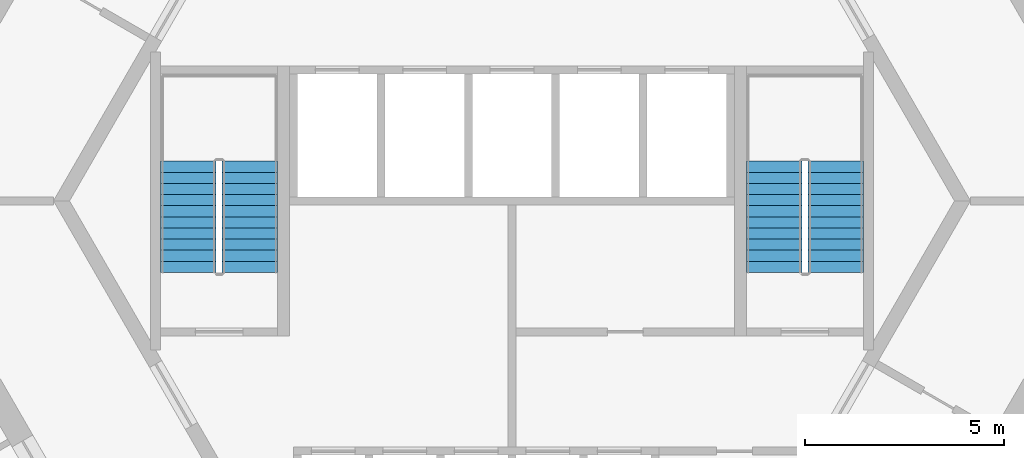
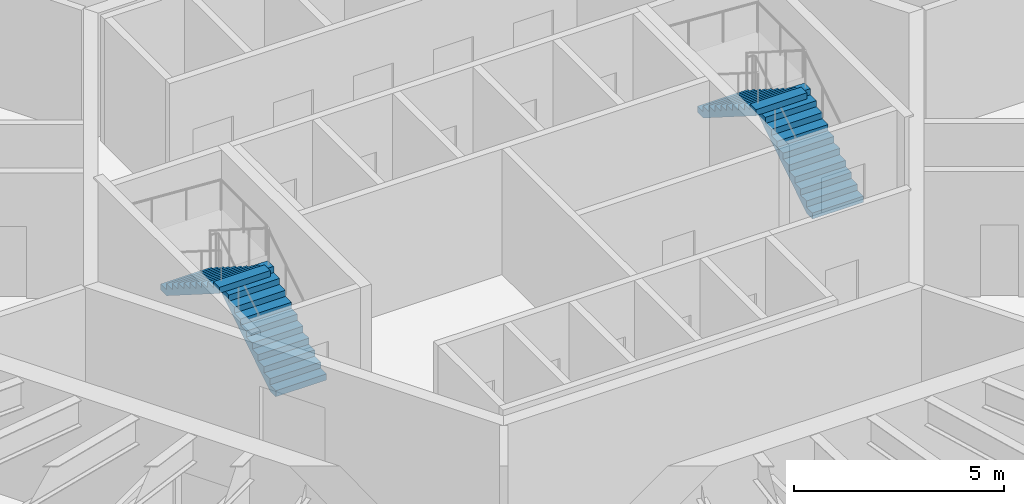
# One storey, part 11 of 12: 4 stair flights, 2 elements without a shape of their own.
"""IFC4 building model written with IfcOpenShell, lengths in metres."""

from ifc_helpers import new_model, si_unit, direction, frame, origin, place, context, subcontext, project, spatial, polyline, outline, extrude, material, type_object, element, aggregate, save


model = new_model("IFC4")

# Units and contexts
model_context = context("Model", 3, precision=1e-05, world=origin(), true_north=direction((0.0, 1.0)))
body_context = subcontext(model_context, "Body", "Model", "MODEL_VIEW")
ifc_project = project(units=[si_unit("LENGTHUNIT", "METRE"), si_unit("AREAUNIT", "SQUARE_METRE"), si_unit("VOLUMEUNIT", "CUBIC_METRE"), si_unit("PLANEANGLEUNIT", "RADIAN"), si_unit("MASSUNIT", "GRAM", prefix="KILO")], contexts=[model_context])

# Site, building, storey
site_placement = place(None, origin())
site = spatial("IfcSite", under=ifc_project, at=site_placement, CompositionType="ELEMENT")
building_placement = place(site_placement, origin())
building = spatial("IfcBuilding", under=site, at=building_placement, Name="Tarnside Tower", CompositionType="ELEMENT")
storey_placement = place(building_placement, frame((0.0, 0.0, 142.800048828125)))
storey = spatial("IfcBuildingStorey", under=building, at=storey_placement, Name="L33", CompositionType="ELEMENT", Elevation=142.800048828125)

# Stair, stair flights
ifc_material = material(Name="Concrete C40/50", Category="concrete")
stair_type = type_object("IfcStairType", Name="Exit stair 1400 clear", PredefinedType="HALF_TURN_STAIR", material=ifc_material)
stair_1_placement = place(storey_placement, origin())
stair_1 = element("IfcStair", 1, at=stair_1_placement, inside=storey, type_object=stair_type, Name="L33 Exit stair 1", PredefinedType="HALF_TURN_STAIR")
stair_flight_type = type_object("IfcStairFlightType", Name="Exit stair flight 1400", PredefinedType="STRAIGHT", material=ifc_material)
stair_flight_1_placement = place(storey_placement, frame((8.14990234375, -1.800048828125, 0.0), z_axis=(0.0, 0.0, 1.0), x_axis=(0.0, 1.0, 0.0)))
stair_flight_1 = element("IfcStairFlight", 2, at=stair_flight_1_placement, type_object=stair_flight_type, Name="ST1 flight 1", NumberOfRisers=11, NumberOfTreads=10, PredefinedType="STRAIGHT", RiserHeight=0.177272727, TreadLength=0.28, context=body_context, shape_type="SweptSolid", body=[
    extrude(outline(polyline([(0.0, 0.0), (0.0, 0.17724609375), (0.280029296875, 0.17724609375), (0.280029296875, 0.3544921875), (0.56005859375, 0.3544921875), (0.56005859375, 0.53173828125), (0.840087890625, 0.53173828125), (0.840087890625, 0.708984375), (1.1201171875, 0.708984375), (1.1201171875, 0.886474609375), (1.39990234375, 0.886474609375), (1.39990234375, 1.063720703125), (1.679931640625, 1.063720703125), (1.679931640625, 1.240966796875), (1.9599609375, 1.240966796875), (1.9599609375, 1.418212890625), (2.239990234375, 1.418212890625), (2.239990234375, 1.595458984375), (2.52001953125, 1.595458984375), (2.52001953125, 1.772705078125), (2.800048828125, 1.772705078125), (2.800048828125, 1.949951171875), (2.800048828125, 1.59521484375), (0.2802734375, 0.0), (0.0, 0.0)])), frame((0.0, 0.699951171875, 0.0), z_axis=(0.0, -1.0, 0.0), x_axis=(1.0, 0.0, 0.0)), (0.0, 0.0, 1.0), 1.39990234375),
])
stair_flight_2_placement = place(storey_placement, frame((6.60009765625, 1.0, 1.949951171875), z_axis=(0.0, 0.0, 1.0), x_axis=(0.0, -1.0, 0.0)))
stair_flight_2 = element("IfcStairFlight", 3, at=stair_flight_2_placement, type_object=stair_flight_type, Name="ST1 flight 2", NumberOfRisers=11, NumberOfTreads=10, PredefinedType="STRAIGHT", RiserHeight=0.177272727, TreadLength=0.28, context=body_context, shape_type="SweptSolid", body=[
    extrude(outline(polyline([(0.0, 0.0), (0.0, 0.17724609375), (0.280029296875, 0.17724609375), (0.280029296875, 0.3544921875), (0.56005859375, 0.3544921875), (0.56005859375, 0.53173828125), (0.840087890625, 0.53173828125), (0.840087890625, 0.708984375), (1.1201171875, 0.708984375), (1.1201171875, 0.886474609375), (1.39990234375, 0.886474609375), (1.39990234375, 1.063720703125), (1.679931640625, 1.063720703125), (1.679931640625, 1.240966796875), (1.9599609375, 1.240966796875), (1.9599609375, 1.418212890625), (2.239990234375, 1.418212890625), (2.239990234375, 1.595458984375), (2.52001953125, 1.595458984375), (2.52001953125, 1.772705078125), (2.800048828125, 1.772705078125), (2.800048828125, 1.949951171875), (2.800048828125, 1.59521484375), (0.2802734375, 0.0), (0.0, 0.0)])), frame((0.0, 0.699951171875, 0.0), z_axis=(0.0, -1.0, 0.0), x_axis=(1.0, 0.0, 0.0)), (0.0, 0.0, 1.0), 1.39990234375),
])
aggregate(stair_1, [stair_flight_1, stair_flight_2])

stair_2_placement = place(storey_placement, origin())
stair_2 = element("IfcStair", 4, at=stair_2_placement, inside=storey, type_object=stair_type, Name="L33 Exit stair 2", PredefinedType="HALF_TURN_STAIR")
stair_flight_3_placement = place(storey_placement, frame((-6.60009765625, -1.800048828125, 0.0), z_axis=(0.0, 0.0, 1.0), x_axis=(0.0, 1.0, 0.0)))
stair_flight_3 = element("IfcStairFlight", 5, at=stair_flight_3_placement, type_object=stair_flight_type, Name="ST2 flight 1", NumberOfRisers=11, NumberOfTreads=10, PredefinedType="STRAIGHT", RiserHeight=0.177272727, TreadLength=0.28, context=body_context, shape_type="SweptSolid", body=[
    extrude(outline(polyline([(0.0, 0.0), (0.0, 0.17724609375), (0.280029296875, 0.17724609375), (0.280029296875, 0.3544921875), (0.56005859375, 0.3544921875), (0.56005859375, 0.53173828125), (0.840087890625, 0.53173828125), (0.840087890625, 0.708984375), (1.1201171875, 0.708984375), (1.1201171875, 0.886474609375), (1.39990234375, 0.886474609375), (1.39990234375, 1.063720703125), (1.679931640625, 1.063720703125), (1.679931640625, 1.240966796875), (1.9599609375, 1.240966796875), (1.9599609375, 1.418212890625), (2.239990234375, 1.418212890625), (2.239990234375, 1.595458984375), (2.52001953125, 1.595458984375), (2.52001953125, 1.772705078125), (2.800048828125, 1.772705078125), (2.800048828125, 1.949951171875), (2.800048828125, 1.59521484375), (0.2802734375, 0.0), (0.0, 0.0)])), frame((0.0, 0.699951171875, 0.0), z_axis=(0.0, -1.0, 0.0), x_axis=(1.0, 0.0, 0.0)), (0.0, 0.0, 1.0), 1.39990234375),
])
stair_flight_4_placement = place(storey_placement, frame((-8.14990234375, 1.0, 1.949951171875), z_axis=(0.0, 0.0, 1.0), x_axis=(0.0, -1.0, 0.0)))
stair_flight_4 = element("IfcStairFlight", 6, at=stair_flight_4_placement, type_object=stair_flight_type, Name="ST2 flight 2", NumberOfRisers=11, NumberOfTreads=10, PredefinedType="STRAIGHT", RiserHeight=0.177272727, TreadLength=0.28, context=body_context, shape_type="SweptSolid", body=[
    extrude(outline(polyline([(0.0, 0.0), (0.0, 0.17724609375), (0.280029296875, 0.17724609375), (0.280029296875, 0.3544921875), (0.56005859375, 0.3544921875), (0.56005859375, 0.53173828125), (0.840087890625, 0.53173828125), (0.840087890625, 0.708984375), (1.1201171875, 0.708984375), (1.1201171875, 0.886474609375), (1.39990234375, 0.886474609375), (1.39990234375, 1.063720703125), (1.679931640625, 1.063720703125), (1.679931640625, 1.240966796875), (1.9599609375, 1.240966796875), (1.9599609375, 1.418212890625), (2.239990234375, 1.418212890625), (2.239990234375, 1.595458984375), (2.52001953125, 1.595458984375), (2.52001953125, 1.772705078125), (2.800048828125, 1.772705078125), (2.800048828125, 1.949951171875), (2.800048828125, 1.59521484375), (0.2802734375, 0.0), (0.0, 0.0)])), frame((0.0, 0.699951171875, 0.0), z_axis=(0.0, -1.0, 0.0), x_axis=(1.0, 0.0, 0.0)), (0.0, 0.0, 1.0), 1.39990234375),
])
aggregate(stair_2, [stair_flight_3, stair_flight_4])

save(model, "model.ifc")
